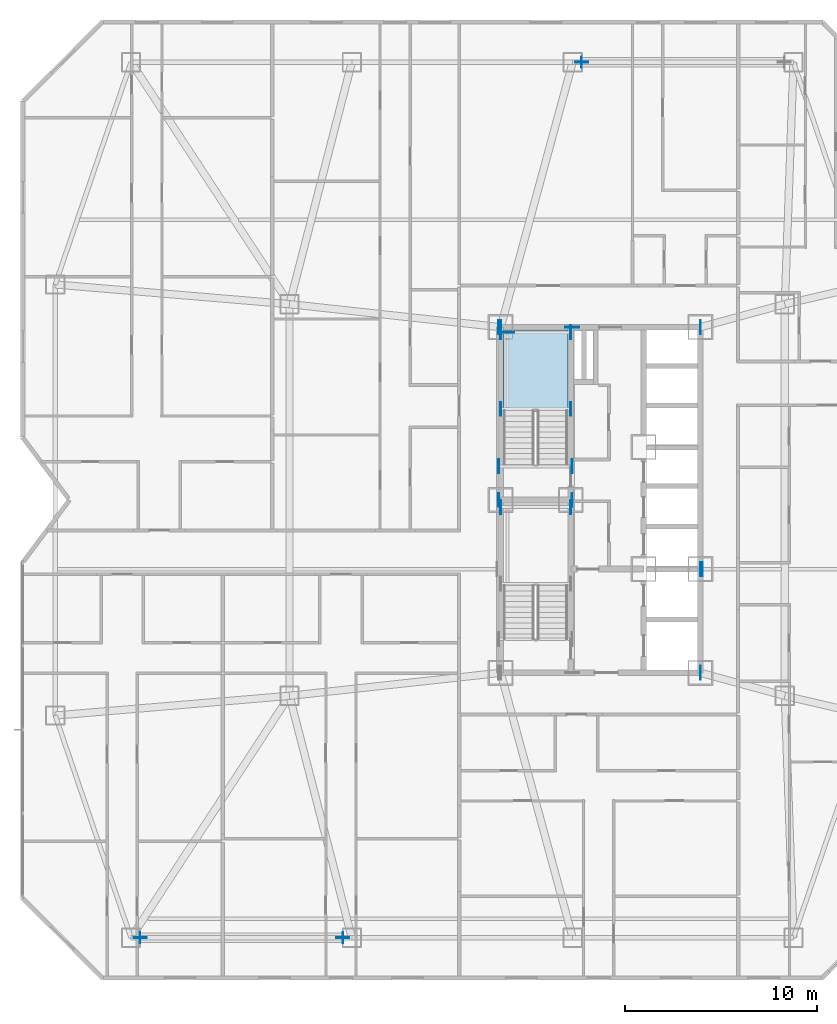
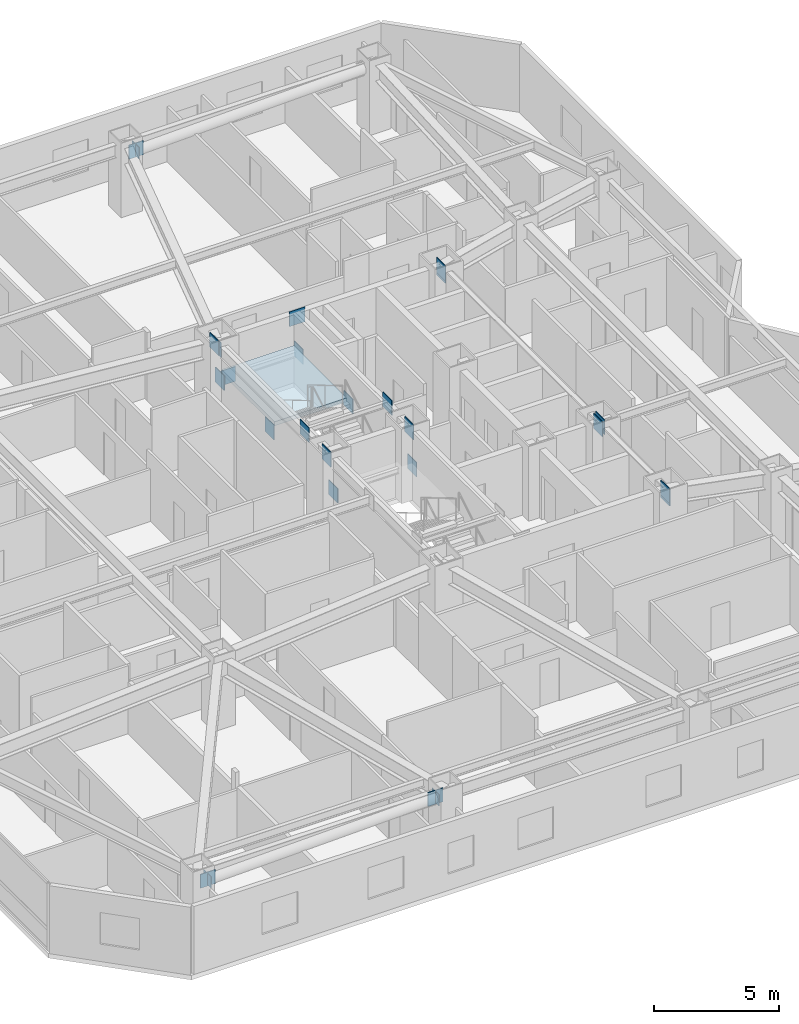
# One storey, part 9 of 18: 26 plates, 1 slab, 1 element without a shape of its own.
"""IFC4 building model written with IfcOpenShell, lengths in metres."""

from ifc_helpers import new_model, si_unit, direction, frame, origin, origin_2d, place, context, subcontext, project, spatial, polyline, rectangle, outline, extrude, material, layer, layer_set, type_object, element, aggregate, save


model = new_model("IFC4")

# Units and contexts
model_context = context("Model", 3, precision=1e-05, world=origin(), true_north=direction((0.0, 1.0)))
body_context = subcontext(model_context, "Body", "Model", "MODEL_VIEW")
ifc_project = project(units=[si_unit("LENGTHUNIT", "METRE"), si_unit("AREAUNIT", "SQUARE_METRE"), si_unit("VOLUMEUNIT", "CUBIC_METRE"), si_unit("PLANEANGLEUNIT", "RADIAN"), si_unit("MASSUNIT", "GRAM", prefix="KILO")], contexts=[model_context])

# Site, building, storey
site_placement = place(None, origin())
site = spatial("IfcSite", under=ifc_project, at=site_placement, CompositionType="ELEMENT")
building_placement = place(site_placement, origin())
building = spatial("IfcBuilding", under=site, at=building_placement, Name="Khamvora Tower", CompositionType="ELEMENT")
storey_placement = place(building_placement, frame((0.0, 0.0, 80.75)))
storey = spatial("IfcBuildingStorey", under=building, at=storey_placement, Name="L20", CompositionType="ELEMENT", Elevation=80.75)

# Plates
ifc_material_1 = material(Name="Steel S355", Category="steel")
ifc_layer_1 = layer(ifc_material_1, 0.02490234375)
ifc_layer_set_1 = layer_set([ifc_layer_1], Name="Steel S355")
plate_type_1 = type_object("IfcPlateType", Name="PL-CAP-25", PredefinedType="SHEET", material=ifc_layer_set_1)
for number, where, z_axis, x_axis, name in (
    (1, (10.218017578125, 5.199951171875, 2.41015625), (0.0, 0.0, 1.0), (1.0, 0.0, 0.0), "L20 hollow section steel end cap plate 0608"),
    (2, (20.781982421875, 5.199951171875, 2.72412109375), (0.0, 0.0, 1.0), (1.0, 0.0, 0.0), "L20 hollow section steel end cap plate 0609"),
    (3, (33.218017578125, 50.800048828125, 2.41015625), (0.0, 0.0, 1.0), (1.0, 0.0, 0.0), "L20 hollow section steel end cap plate 0610"),
):
    element("IfcPlate", number, at=place(storey_placement, frame(where, z_axis=z_axis, x_axis=x_axis)), inside=storey, type_object=plate_type_1, Name=name, PredefinedType="SHEET", context=body_context, shape_type="SweptSolid", body=[
        extrude(rectangle(XDim=0.02490234375, YDim=0.568115234375, at=origin_2d()), origin(), (0.0, 0.0, 1.0), 0.568115234375),
    ])
ifc_material_2 = material(Name="Steel S460", Category="steel")
ifc_layer_2 = layer(ifc_material_2, 0.034912109375)
ifc_layer_set_2 = layer_set([ifc_layer_2], Name="Steel S460")
plate_type_2 = type_object("IfcPlateType", Name="PL-EMB-35", PredefinedType="SHEET", material=ifc_layer_set_2)
for number, where, z_axis, x_axis, name in (
    (4, (29.0, 27.6298828125, 1.1337890625), (0.0, 0.0, 1.0), (1.0, 0.0, 0.0), "L20 core shear wall cast-in embed plate 0592"),
    (5, (32.64990234375, 27.6298828125, 1.1337890625), (0.0, 0.0, 1.0), (1.0, 0.0, 0.0), "L20 core shear wall cast-in embed plate 0593"),
    (6, (29.0, 32.735107421875, 1.1337890625), (0.0, 0.0, 1.0), (1.0, 0.0, 0.0), "L20 core shear wall cast-in embed plate 0594"),
    (7, (32.64990234375, 32.735107421875, 1.1337890625), (0.0, 0.0, 1.0), (1.0, 0.0, 0.0), "L20 core shear wall cast-in embed plate 0595"),
    (8, (29.0, 36.72998046875, 1.1337890625), (0.0, 0.0, 1.0), (1.0, 0.0, 0.0), "L20 core shear wall cast-in embed plate 0596"),
    (9, (32.64990234375, 36.72998046875, 1.1337890625), (0.0, 0.0, 1.0), (1.0, 0.0, 0.0), "L20 core shear wall cast-in embed plate 0597"),
):
    element("IfcPlate", number, at=place(storey_placement, frame(where, z_axis=z_axis, x_axis=x_axis)), inside=storey, type_object=plate_type_2, Name=name, PredefinedType="SHEET", context=body_context, shape_type="SweptSolid", body=[
        extrude(rectangle(XDim=0.034912109375, YDim=0.719970703125, at=origin_2d()), origin(), (0.0, 0.0, 1.0), 0.719970703125),
    ])
plate_1_placement = place(storey_placement, frame((29.35009765625, 36.72998046875, 1.1337890625), z_axis=(0.0, 0.0, 1.0), x_axis=(1.0, 0.0, 0.0)))
element("IfcPlate", 10, at=plate_1_placement, inside=storey, type_object=plate_type_2, Name="L20 core shear wall cast-in embed plate 0598", PredefinedType="SHEET", context=body_context, shape_type="SweptSolid", body=[
    extrude(rectangle(XDim=0.719970703125, YDim=0.034912109375, at=origin_2d()), origin(), (0.0, 0.0, 1.0), 0.719970703125),
])
for number, where, z_axis, x_axis, name in (
    (11, (29.0, 37.0, 2.583984375), (0.0, 0.0, 1.0), (1.0, 0.0, 0.0), "L20 core shear wall cast-in embed plate 0600"),
    (12, (39.39990234375, 19.0, 2.583984375), (0.0, 0.0, 1.0), (1.0, 0.0, 0.0), "L20 core shear wall cast-in embed plate 0601"),
    (13, (39.39990234375, 37.0, 2.583984375), (0.0, 0.0, 1.0), (1.0, 0.0, 0.0), "L20 core shear wall cast-in embed plate 0602"),
    (14, (28.89990234375, 28.0, 2.7041015625), (0.0, 0.0, 1.0), (1.0, 0.0, 0.0), "L20 core shear wall cast-in embed plate 0604"),
    (15, (28.89990234375, 37.0, 2.7041015625), (0.0, 0.0, 1.0), (1.0, 0.0, 0.0), "L20 core shear wall cast-in embed plate 0605"),
    (16, (32.72998046875, 28.0, 2.7041015625), (0.0, 0.0, 1.0), (1.0, 0.0, 0.0), "L20 core shear wall cast-in embed plate 0607"),
):
    element("IfcPlate", number, at=place(storey_placement, frame(where, z_axis=z_axis, x_axis=x_axis)), inside=storey, type_object=plate_type_2, Name=name, PredefinedType="SHEET", context=body_context, shape_type="SweptSolid", body=[
        extrude(rectangle(XDim=0.034912109375, YDim=0.719970703125, at=origin_2d()), origin(), (0.0, 0.0, 1.0), 0.719970703125),
    ])
plate_2_placement = place(storey_placement, frame((32.72998046875, 37.0, 2.7041015625), z_axis=(0.0, 0.0, 1.0), x_axis=(1.0, 0.0, 0.0)))
element("IfcPlate", 17, at=plate_2_placement, inside=storey, type_object=plate_type_2, Name="L20 core shear wall cast-in embed plate 0608", PredefinedType="SHEET", context=body_context, shape_type="SweptSolid", body=[
    extrude(rectangle(XDim=0.719970703125, YDim=0.034912109375, at=origin_2d()), origin(), (0.0, 0.0, 1.0), 0.719970703125),
])
for number, where, z_axis, x_axis, name in (
    (18, (39.39990234375, 19.0, 2.7041015625), (0.0, 0.0, 1.0), (1.0, 0.0, 0.0), "L20 core shear wall cast-in embed plate 0609"),
    (19, (39.39990234375, 24.39990234375, 2.7041015625), (0.0, 0.0, 1.0), (1.0, 0.0, 0.0), "L20 core shear wall cast-in embed plate 0610"),
    (20, (39.39990234375, 37.0, 2.7041015625), (0.0, 0.0, 1.0), (1.0, 0.0, 0.0), "L20 core shear wall cast-in embed plate 0611"),
    (21, (28.89990234375, 29.75, 2.84423828125), (0.0, 0.0, 1.0), (1.0, 0.0, 0.0), "L20 core shear wall cast-in embed plate 0614"),
    (22, (32.72998046875, 29.75, 2.84423828125), (0.0, 0.0, 1.0), (1.0, 0.0, 0.0), "L20 core shear wall cast-in embed plate 0615"),
    (23, (39.4990234375, 24.39990234375, 2.76611328125), (0.0, 0.0, 1.0), (1.0, 0.0, 0.0), "L20 core shear wall cast-in embed plate 0617"),
):
    element("IfcPlate", number, at=place(storey_placement, frame(where, z_axis=z_axis, x_axis=x_axis)), inside=storey, type_object=plate_type_2, Name=name, PredefinedType="SHEET", context=body_context, shape_type="SweptSolid", body=[
        extrude(rectangle(XDim=0.034912109375, YDim=0.719970703125, at=origin_2d()), origin(), (0.0, 0.0, 1.0), 0.719970703125),
    ])
ifc_layer_3 = layer(ifc_material_2, 0.0400390625)
ifc_layer_set_3 = layer_set([ifc_layer_3], Name="Steel S460")
plate_type_3 = type_object("IfcPlateType", Name="PLT-GUS-40", PredefinedType="SHEET", material=ifc_layer_set_3)
for number, where, z_axis, x_axis, name in (
    (24, (10.22998046875, 5.199951171875, 2.35400390625), (0.0, 0.0, 1.0), (1.0, 0.0, 0.0), "L20 brace connection node gusset plate 0125"),
    (25, (20.77001953125, 5.199951171875, 2.66796875), (0.0, 0.0, 1.0), (1.0, 0.0, 0.0), "L20 brace connection node gusset plate 0126"),
    (26, (33.22998046875, 50.800048828125, 2.35400390625), (0.0, 0.0, 1.0), (1.0, 0.0, 0.0), "L20 brace connection node gusset plate 0127"),
):
    element("IfcPlate", number, at=place(storey_placement, frame(where, z_axis=z_axis, x_axis=x_axis)), inside=storey, type_object=plate_type_3, Name=name, PredefinedType="SHEET", context=body_context, shape_type="SweptSolid", body=[
        extrude(rectangle(XDim=0.679931640625, YDim=0.0400390625, at=origin_2d()), origin(), (0.0, 0.0, 1.0), 0.679931640625),
    ])

# Stair, slab
ifc_material_3 = material(Name="Concrete C40/50", Category="concrete")
stair_type = type_object("IfcStairType", Name="STR-ST-02", PredefinedType="HALF_TURN_STAIR", material=ifc_material_3)
stair_placement = place(storey_placement, origin())
stair = element("IfcStair", 27, at=stair_placement, inside=storey, type_object=stair_type, Name="L20 North Tower Exit Stair ST-02", PredefinedType="HALF_TURN_STAIR")
ifc_layer_4 = layer(ifc_material_3, 0.199951171875)
ifc_layer_set_4 = layer_set([ifc_layer_4], Name="Concrete C40/50")
slab_type = type_object("IfcSlabType", Name="SLB-LND-200", PredefinedType="LANDING", material=ifc_layer_set_4)
slab_placement = place(storey_placement, frame((0.0, 0.0, 1.625)))
slab = element("IfcSlab", 28, at=slab_placement, type_object=slab_type, Name="ST-02 landing 1", PredefinedType="LANDING", context=body_context, shape_type="SweptSolid", body=[
    extrude(outline(polyline([(32.5, 32.614990234375), (32.5, 36.85009765625), (29.14990234375, 36.85009765625), (29.14990234375, 32.614990234375), (32.5, 32.614990234375)])), origin(), (0.0, 0.0, 1.0), 0.199951171875),
])
aggregate(stair, [slab])

save(model, "model.ifc")
